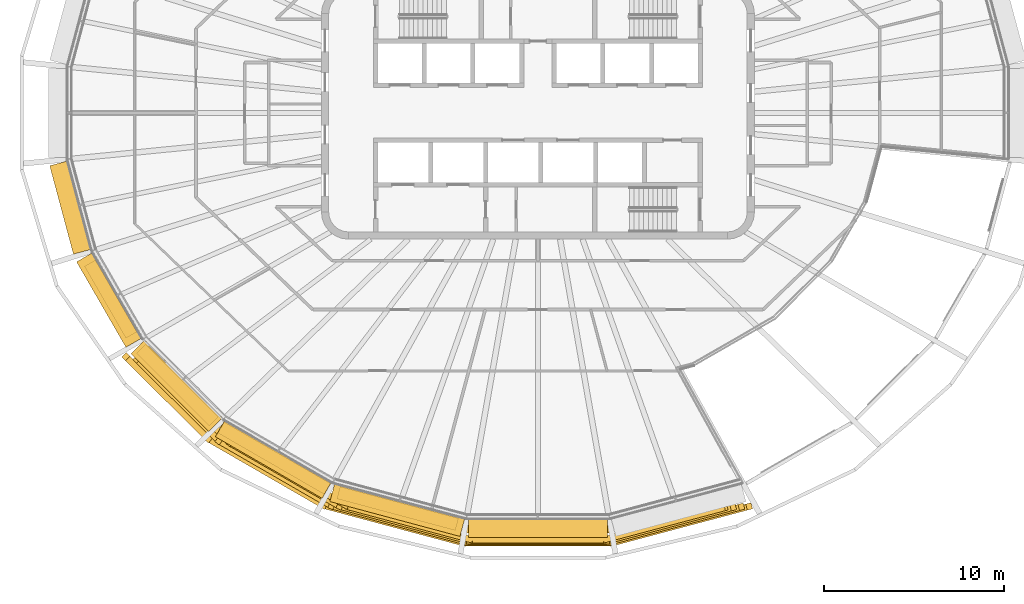
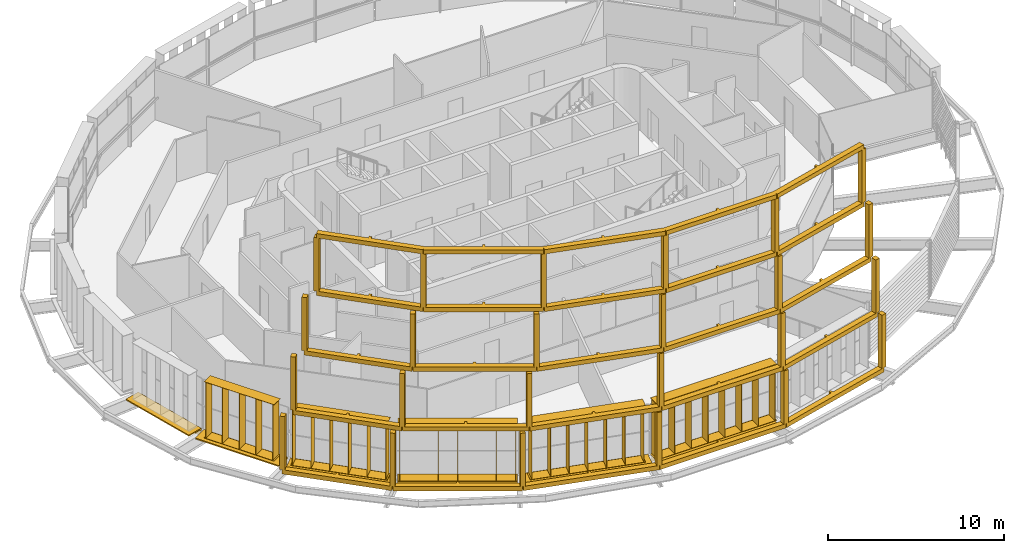
# One storey, part 14 of 18: 12 shading devices.
"""IFC4 building model written with IfcOpenShell, lengths in metres."""

from ifc_helpers import new_model, si_unit, direction, frame, origin, origin_2d, place, context, subcontext, project, spatial, polyline, rectangle, outline, extrude, material, type_object, element, save


model = new_model("IFC4")

# Units and contexts
model_context = context("Model", 3, precision=1e-05, world=origin(), true_north=direction((0.0, 1.0)))
body_context = subcontext(model_context, "Body", "Model", "MODEL_VIEW")
ifc_project = project(units=[si_unit("LENGTHUNIT", "METRE"), si_unit("AREAUNIT", "SQUARE_METRE"), si_unit("VOLUMEUNIT", "CUBIC_METRE"), si_unit("PLANEANGLEUNIT", "RADIAN"), si_unit("MASSUNIT", "GRAM", prefix="KILO")], contexts=[model_context])

# Site, building, storey
site_placement = place(None, origin())
site = spatial("IfcSite", under=ifc_project, at=site_placement, CompositionType="ELEMENT")
building_placement = place(site_placement, origin())
building = spatial("IfcBuilding", under=site, at=building_placement, Name="Sahrelin Media Tower", CompositionType="ELEMENT")
storey_placement = place(building_placement, frame((0.0, 0.0, 308.39990234375)))
storey = spatial("IfcBuildingStorey", under=building, at=storey_placement, Name="L68", CompositionType="ELEMENT", Elevation=308.39990234375)

# Shading devices
ifc_material_1 = material(Name="Dark bronze anodised aluminium 6063-T6", Category="aluminium")
shading_device_type_1 = type_object("IfcShadingDeviceType", Name="Deep frame", PredefinedType="USERDEFINED", material=ifc_material_1)
shading_device_1_placement = place(storey_placement, frame((-21.9013671875, -12.5654296875, 0.0), z_axis=(0.0, 0.0, 1.0), x_axis=(-0.707106781187, 0.707106781187, 0.0)))
element("IfcShadingDevice", 1, at=shading_device_1_placement, inside=storey, type_object=shading_device_type_1, Name="L68:FRAME:F6-3", ObjectType="FRAME", PredefinedType="USERDEFINED", context=body_context, shape_type="SweptSolid", body=[
    extrude(rectangle(XDim=0.300048828125, YDim=0.35009765625, at=origin_2d()), frame((0.0, 1.324951171875, 0.14990234375), z_axis=(0.0, 0.0, 1.0), x_axis=(-1.0, 0.0, 0.0)), (0.0, 0.0, 1.0), 3.7001953125),
    extrude(rectangle(XDim=0.300048828125, YDim=0.35009765625, at=origin_2d()), frame((-6.463134765625, 1.313720703125, 0.14990234375), z_axis=(0.0, 0.0, 1.0), x_axis=(-0.991436202368, -0.130591947046, 0.0)), (0.0, 0.0, 1.0), 3.7001953125),
    extrude(rectangle(XDim=0.300048828125, YDim=0.35009765625, at=origin_2d()), frame((-13.589111328125, -0.595703125, 0.14990234375), z_axis=(0.0, 0.0, 1.0), x_axis=(-0.923876860854, -0.382689882252, 0.0)), (0.0, 0.0, 1.0), 3.7001953125),
    extrude(rectangle(XDim=0.300048828125, YDim=0.35009765625, at=origin_2d()), frame((-20.527099609375, -4.601318359375, 0.14990234375), z_axis=(0.0, 0.0, 1.0), x_axis=(-0.793362902596, -0.608748966968, 0.0)), (0.0, 0.0, 1.0), 3.7001953125),
    extrude(rectangle(XDim=0.300048828125, YDim=0.35009765625, at=origin_2d()), frame((-26.3720703125, -10.4462890625, 0.14990234375), z_axis=(0.0, 0.0, 1.0), x_axis=(-0.608748966968, -0.793362902596, 0.0)), (0.0, 0.0, 1.0), 3.7001953125),
    extrude(rectangle(XDim=0.300048828125, YDim=0.35009765625, at=origin_2d()), frame((-30.30078125, -17.228759765625, 0.14990234375), z_axis=(0.0, 0.0, 1.0), x_axis=(-0.500010580459, -0.866019295067, 0.0)), (0.0, 0.0, 1.0), 3.7001953125),
    extrude(outline(polyline([(-26.49560546875, -10.322509765625), (-26.3720703125, -10.4462890625), (-26.5234375, -10.358642578125), (-30.452392578125, -17.14111328125), (-30.1494140625, -17.31640625), (-28.265869140625, -14.064697265625), (-28.114501953125, -14.152099609375), (-28.03955078125, -14.022216796875), (-28.190673828125, -13.93505859375), (-26.23193359375, -10.5537109375), (-23.37890625, -7.70068359375), (-23.259521484375, -7.81982421875), (-23.1533203125, -7.7138671875), (-23.272705078125, -7.594482421875), (-20.41943359375, -4.7412109375), (-17.035400390625, -2.78759765625), (-16.951171875, -2.93359375), (-16.8212890625, -2.858642578125), (-16.905517578125, -2.712646484375), (-13.521484375, -0.7587890625), (-10.05322265625, 0.17041015625), (-10.009521484375, 0.007568359375), (-9.86474609375, 0.04638671875), (-9.908447265625, 0.209228515625), (-6.43994140625, 1.138671875), (-3.22021484375, 1.144287109375), (-3.22021484375, 0.969970703125), (-3.070068359375, 0.969970703125), (-3.070068359375, 1.14453125), (0.000244140625, 1.14990234375), (-0.000244140625, 1.5), (-6.46337890625, 1.48876953125), (-6.463134765625, 1.313720703125), (-6.508544921875, 1.482666015625), (-13.63427734375, -0.4267578125), (-13.589111328125, -0.595703125), (-13.676513671875, -0.444091796875), (-20.614501953125, -4.44970703125), (-20.527099609375, -4.601318359375), (-20.650634765625, -4.4775390625), (-26.49560546875, -10.322509765625)])), frame((0.0, 0.0, -0.14990234375)), (0.0, 0.0, 1.0), 0.2998046875),
    extrude(rectangle(XDim=0.300048828125, YDim=0.35009765625, at=origin_2d()), frame((-0.53759765625, 0.9912109375, 4.14990234375), z_axis=(0.0, 0.0, 1.0), x_axis=(-1.0, 0.0, 0.0)), (0.0, 0.0, 1.0), 3.7001953125),
    extrude(rectangle(XDim=0.300048828125, YDim=0.35009765625, at=origin_2d()), frame((-6.9462890625, 0.97998046875, 4.14990234375), z_axis=(0.0, 0.0, 1.0), x_axis=(-0.991449189241, -0.130493314592, 0.0)), (0.0, 0.0, 1.0), 3.7001953125),
    extrude(rectangle(XDim=0.300048828125, YDim=0.35009765625, at=origin_2d()), frame((-13.9091796875, -0.8857421875, 4.14990234375), z_axis=(0.0, 0.0, 1.0), x_axis=(-0.923862165937, -0.382725356294, 0.0)), (0.0, 0.0, 1.0), 3.7001953125),
    extrude(rectangle(XDim=0.300048828125, YDim=0.35009765625, at=origin_2d()), frame((-20.60595703125, -4.752197265625, 4.14990234375), z_axis=(0.0, 0.0, 1.0), x_axis=(-0.793315089117, -0.608811275668, 0.0)), (0.0, 0.0, 1.0), 3.7001953125),
    extrude(rectangle(XDim=0.300048828125, YDim=0.35009765625, at=origin_2d()), frame((-26.220947265625, -10.3671875, 4.14990234375), z_axis=(0.0, 0.0, 1.0), x_axis=(-0.608762813671, -0.793352277801, 0.0)), (0.0, 0.0, 1.0), 3.7001953125),
    extrude(rectangle(XDim=0.300048828125, YDim=0.35009765625, at=origin_2d()), frame((-30.0107421875, -16.90869140625, 4.14990234375), z_axis=(0.0, 0.0, 1.0), x_axis=(-0.500010580459, -0.866019295067, 0.0)), (0.0, 0.0, 1.0), 3.7001953125),
    extrude(outline(polyline([(-26.3447265625, -10.24365234375), (-26.220947265625, -10.3671875), (-26.372314453125, -10.279541015625), (-30.162109375, -16.821044921875), (-29.859375, -16.99658203125), (-28.04541015625, -13.865234375), (-27.89404296875, -13.952392578125), (-27.819091796875, -13.822509765625), (-27.97021484375, -13.735595703125), (-26.0810546875, -10.474853515625), (-23.3427734375, -7.736572265625), (-23.223388671875, -7.855712890625), (-23.117431640625, -7.749755859375), (-23.23681640625, -7.630615234375), (-20.49853515625, -4.892333984375), (-17.235107421875, -3.008056640625), (-17.150634765625, -3.154052734375), (-17.020751953125, -3.0791015625), (-17.10498046875, -2.93310546875), (-13.841552734375, -1.048828125), (-10.454833984375, -0.141357421875), (-10.4111328125, -0.30419921875), (-10.266357421875, -0.265380859375), (-10.31005859375, -0.1025390625), (-6.923095703125, 0.804931640625), (-3.73046875, 0.810546875), (-3.73046875, 0.63623046875), (-3.580322265625, 0.63623046875), (-3.580322265625, 0.810791015625), (-0.537109375, 0.816162109375), (-0.537841796875, 1.166259765625), (-6.946533203125, 1.15478515625), (-6.9462890625, 0.97998046875), (-6.99169921875, 1.14892578125), (-13.954345703125, -0.716796875), (-13.9091796875, -0.8857421875), (-13.99658203125, -0.734130859375), (-20.693603515625, -4.6005859375), (-20.60595703125, -4.752197265625), (-20.729736328125, -4.62841796875), (-26.3447265625, -10.24365234375)])), frame((0.0, 0.0, 3.85009765625)), (0.0, 0.0, 1.0), 0.2998046875),
    extrude(rectangle(XDim=0.300048828125, YDim=0.35009765625, at=origin_2d()), frame((-1.112060546875, 0.63916015625, 8.14990234375), z_axis=(0.0, 0.0, 1.0), x_axis=(-1.0, 0.0, 0.0)), (0.0, 0.0, 1.0), 3.7001953125),
    extrude(rectangle(XDim=0.300048828125, YDim=0.35009765625, at=origin_2d()), frame((-7.45849609375, 0.627685546875, 8.14990234375), z_axis=(0.0, 0.0, 1.0), x_axis=(-0.991436202368, -0.130591947046, 0.0)), (0.0, 0.0, 1.0), 3.7001953125),
    extrude(rectangle(XDim=0.300048828125, YDim=0.35009765625, at=origin_2d()), frame((-14.244873046875, -1.190673828125, 8.14990234375), z_axis=(0.0, 0.0, 1.0), x_axis=(-0.923862165937, -0.382725356294, 0.0)), (0.0, 0.0, 1.0), 3.7001953125),
    extrude(rectangle(XDim=0.300048828125, YDim=0.35009765625, at=origin_2d()), frame((-20.687744140625, -4.910400390625, 8.14990234375), z_axis=(0.0, 0.0, 1.0), x_axis=(-0.793352277801, -0.608762813671, 0.0)), (0.0, 0.0, 1.0), 3.7001953125),
    extrude(rectangle(XDim=0.300048828125, YDim=0.35009765625, at=origin_2d()), frame((-26.062744140625, -10.285400390625, 8.14990234375), z_axis=(0.0, 0.0, 1.0), x_axis=(-0.608700502051, -0.793400087474, 0.0)), (0.0, 0.0, 1.0), 3.7001953125),
    extrude(rectangle(XDim=0.300048828125, YDim=0.35009765625, at=origin_2d()), frame((-29.7060546875, -16.572998046875, 8.14990234375), z_axis=(0.0, 0.0, 1.0), x_axis=(-0.499968258175, -0.86604372916, 0.0)), (0.0, 0.0, 1.0), 3.7001953125),
    extrude(outline(polyline([(-26.1865234375, -10.16162109375), (-26.062744140625, -10.285400390625), (-26.214111328125, -10.19775390625), (-29.857421875, -16.485107421875), (-29.5546875, -16.66064453125), (-27.813720703125, -13.656494140625), (-27.66259765625, -13.74365234375), (-27.587646484375, -13.61376953125), (-27.738525390625, -13.526611328125), (-25.9228515625, -10.39306640625), (-23.3046875, -7.774658203125), (-23.185302734375, -7.89404296875), (-23.079345703125, -7.787841796875), (-23.198486328125, -7.668701171875), (-20.580322265625, -5.050537109375), (-17.44384765625, -3.239501953125), (-17.359619140625, -3.3857421875), (-17.2294921875, -3.310791015625), (-17.31396484375, -3.16455078125), (-14.17724609375, -1.353759765625), (-10.87890625, -0.469970703125), (-10.835205078125, -0.6328125), (-10.690185546875, -0.593994140625), (-10.73388671875, -0.43115234375), (-7.435302734375, 0.452880859375), (-4.273681640625, 0.45849609375), (-4.273681640625, 0.2841796875), (-4.123779296875, 0.2841796875), (-4.123779296875, 0.458740234375), (-1.11181640625, 0.464111328125), (-1.1123046875, 0.814208984375), (-7.458740234375, 0.802734375), (-7.45849609375, 0.627685546875), (-7.503662109375, 0.796875), (-14.290283203125, -1.021484375), (-14.244873046875, -1.190673828125), (-14.33251953125, -1.0390625), (-20.775390625, -4.7587890625), (-20.687744140625, -4.910400390625), (-20.8115234375, -4.786865234375), (-26.1865234375, -10.16162109375)])), frame((0.0, 0.0, 7.85009765625)), (0.0, 0.0, 1.0), 0.2998046875),
    extrude(rectangle(XDim=0.300048828125, YDim=0.35009765625, at=origin_2d()), frame((-1.72412109375, 0.269287109375, 12.14990234375), z_axis=(0.0, 0.0, 1.0), x_axis=(-1.0, 0.0, 0.0)), (0.0, 0.0, 1.0), 3.7001953125),
    extrude(rectangle(XDim=0.300048828125, YDim=0.35009765625, at=origin_2d()), frame((-7.999267578125, 0.2578125, 12.14990234375), z_axis=(0.0, 0.0, 1.0), x_axis=(-0.991447594891, -0.130505427419, 0.0)), (0.0, 0.0, 1.0), 3.7001953125),
    extrude(rectangle(XDim=0.300048828125, YDim=0.35009765625, at=origin_2d()), frame((-14.595458984375, -1.509521484375, 12.14990234375), z_axis=(0.0, 0.0, 1.0), x_axis=(-0.923876860854, -0.382689882252, 0.0)), (0.0, 0.0, 1.0), 3.7001953125),
    extrude(rectangle(XDim=0.300048828125, YDim=0.35009765625, at=origin_2d()), frame((-20.772216796875, -5.07568359375, 12.14990234375), z_axis=(0.0, 0.0, 1.0), x_axis=(-0.793315089117, -0.608811275668, 0.0)), (0.0, 0.0, 1.0), 3.7001953125),
    extrude(rectangle(XDim=0.300048828125, YDim=0.35009765625, at=origin_2d()), frame((-25.897705078125, -10.201171875, 12.14990234375), z_axis=(0.0, 0.0, 1.0), x_axis=(-0.608700502051, -0.793400087474, 0.0)), (0.0, 0.0, 1.0), 3.7001953125),
    extrude(rectangle(XDim=0.300048828125, YDim=0.35009765625, at=origin_2d()), frame((-29.38720703125, -16.222412109375, 12.14990234375), z_axis=(0.0, 0.0, 1.0), x_axis=(-0.500010580459, -0.866019295067, 0.0)), (0.0, 0.0, 1.0), 3.7001953125),
    extrude(outline(polyline([(-26.021484375, -10.077392578125), (-25.897705078125, -10.201171875), (-26.049072265625, -10.113525390625), (-29.53857421875, -16.134521484375), (-29.235595703125, -16.31005859375), (-27.57177734375, -13.43896484375), (-27.420654296875, -13.5263671875), (-27.345703125, -13.396484375), (-27.49658203125, -13.30908203125), (-25.7578125, -10.308837890625), (-23.26416015625, -7.815185546875), (-23.14501953125, -7.934326171875), (-23.038818359375, -7.828369140625), (-23.158203125, -7.708984375), (-20.66455078125, -5.215576171875), (-17.6611328125, -3.481689453125), (-17.576904296875, -3.627685546875), (-17.447021484375, -3.552734375), (-17.53125, -3.406494140625), (-14.52783203125, -1.672607421875), (-11.324462890625, -0.814208984375), (-11.281005859375, -0.977294921875), (-11.135986328125, -0.9384765625), (-11.1796875, -0.775390625), (-7.97607421875, 0.0830078125), (-4.85009765625, 0.088623046875), (-4.85009765625, -0.085693359375), (-4.7001953125, -0.085693359375), (-4.7001953125, 0.0888671875), (-1.723876953125, 0.09423828125), (-1.724609375, 0.444091796875), (-7.99951171875, 0.432861328125), (-7.999267578125, 0.2578125), (-8.044677734375, 0.427001953125), (-14.640625, -1.340576171875), (-14.595458984375, -1.509521484375), (-14.682861328125, -1.35791015625), (-20.859619140625, -4.924072265625), (-20.772216796875, -5.07568359375), (-20.895751953125, -4.951904296875), (-26.021484375, -10.077392578125)])), frame((0.0, 0.0, 11.85009765625)), (0.0, 0.0, 1.0), 0.2998046875),
    extrude(outline(polyline([(-26.021484375, -10.077392578125), (-25.897705078125, -10.201171875), (-26.049072265625, -10.113525390625), (-29.53857421875, -16.134521484375), (-29.235595703125, -16.31005859375), (-27.57177734375, -13.43896484375), (-27.420654296875, -13.5263671875), (-27.345703125, -13.396484375), (-27.49658203125, -13.30908203125), (-25.7578125, -10.308837890625), (-23.26416015625, -7.815185546875), (-23.14501953125, -7.934326171875), (-23.038818359375, -7.828369140625), (-23.158203125, -7.708984375), (-20.66455078125, -5.215576171875), (-17.6611328125, -3.481689453125), (-17.576904296875, -3.627685546875), (-17.447021484375, -3.552734375), (-17.53125, -3.406494140625), (-14.52783203125, -1.672607421875), (-11.324462890625, -0.814208984375), (-11.281005859375, -0.977294921875), (-11.135986328125, -0.9384765625), (-11.1796875, -0.775390625), (-7.97607421875, 0.0830078125), (-4.85009765625, 0.088623046875), (-4.85009765625, -0.085693359375), (-4.7001953125, -0.085693359375), (-4.7001953125, 0.0888671875), (-1.723876953125, 0.09423828125), (-1.724609375, 0.444091796875), (-7.99951171875, 0.432861328125), (-7.999267578125, 0.2578125), (-8.044677734375, 0.427001953125), (-14.640625, -1.340576171875), (-14.595458984375, -1.509521484375), (-14.682861328125, -1.35791015625), (-20.859619140625, -4.924072265625), (-20.772216796875, -5.07568359375), (-20.895751953125, -4.951904296875), (-26.021484375, -10.077392578125)])), frame((0.0, 0.0, 15.85009765625)), (0.0, 0.0, 1.0), 0.2998046875),
])
ifc_material_2 = material(Name="Champagne anodised aluminium 6063-T6", Category="aluminium")
shading_device_type_2 = type_object("IfcShadingDeviceType", Name="Fin cassette", PredefinedType="USERDEFINED", material=ifc_material_2)
placement_1 = place(storey_placement, frame((-23.31787109375, -10.11181640625, 0.0), z_axis=(0.0, 0.0, 1.0), x_axis=(-0.500011000363, 0.866019052629, 0.0)))
element("IfcShadingDevice", 2, at=placement_1, inside=storey, type_object=shading_device_type_2, Name="L68:FIN:L68-14", ObjectType="FIN", PredefinedType="USERDEFINED", context=body_context, shape_type="SweptSolid", body=[
    extrude(rectangle(XDim=4.60009765625, YDim=0.699951171875, at=origin_2d()), frame((0.0, 0.419921875, 0.0)), (0.0, 0.0, 1.0), 0.02001953125),
    extrude(rectangle(XDim=4.60009765625, YDim=0.699951171875, at=origin_2d()), frame((0.0, 0.419921875, 3.89990234375)), (0.0, 0.0, 1.0), 0.02001953125),
    extrude(rectangle(XDim=0.02001953125, YDim=0.699951171875, at=origin_2d()), frame((-2.199951171875, 0.419921875, 0.010009765625), z_axis=(0.0, 0.0, 1.0), x_axis=(1.0, 0.0, 0.0)), (0.0, 0.0, 1.0), 3.89990234375),
    extrude(rectangle(XDim=0.02001953125, YDim=0.699951171875, at=origin_2d()), frame((-1.10009765625, 0.419921875, 0.010009765625), z_axis=(0.0, 0.0, 1.0), x_axis=(1.0, 0.0, 0.0)), (0.0, 0.0, 1.0), 3.89990234375),
    extrude(rectangle(XDim=0.02001953125, YDim=0.699951171875, at=origin_2d()), frame((0.0, 0.419921875, 0.010009765625), z_axis=(0.0, 0.0, 1.0), x_axis=(1.0, 0.0, 0.0)), (0.0, 0.0, 1.0), 3.89990234375),
    extrude(rectangle(XDim=0.02001953125, YDim=0.699951171875, at=origin_2d()), frame((1.10009765625, 0.419921875, 0.010009765625), z_axis=(0.0, 0.0, 1.0), x_axis=(1.0, 0.0, 0.0)), (0.0, 0.0, 1.0), 3.89990234375),
    extrude(rectangle(XDim=0.02001953125, YDim=0.699951171875, at=origin_2d()), frame((2.199951171875, 0.419921875, 0.010009765625), z_axis=(0.0, 0.0, 1.0), x_axis=(1.0, 0.0, 0.0)), (0.0, 0.0, 1.0), 3.89990234375),
])
placement_2 = place(storey_placement, frame((-19.677490234375, -14.789306640625, 0.0), z_axis=(0.0, 0.0, 1.0), x_axis=(-0.707106781187, 0.707106781187, 0.0)))
element("IfcShadingDevice", 3, at=placement_2, inside=storey, type_object=shading_device_type_2, Name="L68:FIN:L68-15", ObjectType="FIN", PredefinedType="USERDEFINED", context=body_context, shape_type="SweptSolid", body=[
    extrude(rectangle(XDim=5.699951171875, YDim=0.699951171875, at=origin_2d()), frame((0.0, 0.419921875, 0.0)), (0.0, 0.0, 1.0), 0.02001953125),
    extrude(rectangle(XDim=5.699951171875, YDim=0.699951171875, at=origin_2d()), frame((0.0, 0.419921875, 3.89990234375)), (0.0, 0.0, 1.0), 0.02001953125),
    extrude(rectangle(XDim=0.02001953125, YDim=0.699951171875, at=origin_2d()), frame((-2.75, 0.419921875, 0.010009765625), z_axis=(0.0, 0.0, 1.0), x_axis=(1.0, 0.0, 0.0)), (0.0, 0.0, 1.0), 3.89990234375),
    extrude(rectangle(XDim=0.02001953125, YDim=0.699951171875, at=origin_2d()), frame((-1.64990234375, 0.419921875, 0.010009765625), z_axis=(0.0, 0.0, 1.0), x_axis=(1.0, 0.0, 0.0)), (0.0, 0.0, 1.0), 3.89990234375),
    extrude(rectangle(XDim=0.02001953125, YDim=0.699951171875, at=origin_2d()), frame((-0.550048828125, 0.419921875, 0.010009765625), z_axis=(0.0, 0.0, 1.0), x_axis=(1.0, 0.0, 0.0)), (0.0, 0.0, 1.0), 3.89990234375),
    extrude(rectangle(XDim=0.02001953125, YDim=0.699951171875, at=origin_2d()), frame((0.550048828125, 0.419921875, 0.010009765625), z_axis=(0.0, 0.0, 1.0), x_axis=(1.0, 0.0, 0.0)), (0.0, 0.0, 1.0), 3.89990234375),
    extrude(rectangle(XDim=0.02001953125, YDim=0.699951171875, at=origin_2d()), frame((1.64990234375, 0.419921875, 0.010009765625), z_axis=(0.0, 0.0, 1.0), x_axis=(1.0, 0.0, 0.0)), (0.0, 0.0, 1.0), 3.89990234375),
    extrude(rectangle(XDim=0.02001953125, YDim=0.699951171875, at=origin_2d()), frame((2.75, 0.419921875, 0.010009765625), z_axis=(0.0, 0.0, 1.0), x_axis=(1.0, 0.0, 0.0)), (0.0, 0.0, 1.0), 3.89990234375),
])
placement_3 = place(storey_placement, frame((-14.408935546875, -18.771240234375, 0.0), z_axis=(0.0, 0.0, 1.0), x_axis=(-0.866019052629, 0.500011000363, 0.0)))
element("IfcShadingDevice", 4, at=placement_3, inside=storey, type_object=shading_device_type_2, Name="L68:FIN:L68-16", ObjectType="FIN", PredefinedType="USERDEFINED", context=body_context, shape_type="SweptSolid", body=[
    extrude(rectangle(XDim=6.800048828125, YDim=0.699951171875, at=origin_2d()), frame((0.0, 0.419921875, 0.0)), (0.0, 0.0, 1.0), 0.02001953125),
    extrude(rectangle(XDim=6.800048828125, YDim=0.699951171875, at=origin_2d()), frame((0.0, 0.419921875, 3.89990234375)), (0.0, 0.0, 1.0), 0.02001953125),
    extrude(rectangle(XDim=0.02001953125, YDim=0.699951171875, at=origin_2d()), frame((-3.300048828125, 0.419921875, 0.010009765625), z_axis=(0.0, 0.0, 1.0), x_axis=(1.0, 0.0, 0.0)), (0.0, 0.0, 1.0), 3.89990234375),
    extrude(rectangle(XDim=0.02001953125, YDim=0.699951171875, at=origin_2d()), frame((-2.199951171875, 0.419921875, 0.010009765625), z_axis=(0.0, 0.0, 1.0), x_axis=(1.0, 0.0, 0.0)), (0.0, 0.0, 1.0), 3.89990234375),
    extrude(rectangle(XDim=0.02001953125, YDim=0.699951171875, at=origin_2d()), frame((-1.10009765625, 0.419921875, 0.010009765625), z_axis=(0.0, 0.0, 1.0), x_axis=(1.0, 0.0, 0.0)), (0.0, 0.0, 1.0), 3.89990234375),
    extrude(rectangle(XDim=0.02001953125, YDim=0.699951171875, at=origin_2d()), frame((0.0, 0.419921875, 0.010009765625), z_axis=(0.0, 0.0, 1.0), x_axis=(1.0, 0.0, 0.0)), (0.0, 0.0, 1.0), 3.89990234375),
    extrude(rectangle(XDim=0.02001953125, YDim=0.699951171875, at=origin_2d()), frame((1.10009765625, 0.419921875, 0.010009765625), z_axis=(0.0, 0.0, 1.0), x_axis=(1.0, 0.0, 0.0)), (0.0, 0.0, 1.0), 3.89990234375),
    extrude(rectangle(XDim=0.02001953125, YDim=0.699951171875, at=origin_2d()), frame((2.199951171875, 0.419921875, 0.010009765625), z_axis=(0.0, 0.0, 1.0), x_axis=(1.0, 0.0, 0.0)), (0.0, 0.0, 1.0), 3.89990234375),
    extrude(rectangle(XDim=0.02001953125, YDim=0.699951171875, at=origin_2d()), frame((3.300048828125, 0.419921875, 0.010009765625), z_axis=(0.0, 0.0, 1.0), x_axis=(1.0, 0.0, 0.0)), (0.0, 0.0, 1.0), 3.89990234375),
])
placement_4 = place(storey_placement, frame((-7.662109375, -21.52099609375, 0.0), z_axis=(0.0, 0.0, 1.0), x_axis=(-0.965928857556, 0.258807731996, 0.0)))
element("IfcShadingDevice", 5, at=placement_4, inside=storey, type_object=shading_device_type_2, Name="L68:FIN:L68-17", ObjectType="FIN", PredefinedType="USERDEFINED", context=body_context, shape_type="SweptSolid", body=[
    extrude(rectangle(XDim=6.800048828125, YDim=0.699951171875, at=origin_2d()), frame((0.0, 0.419921875, 0.0)), (0.0, 0.0, 1.0), 0.02001953125),
    extrude(rectangle(XDim=6.800048828125, YDim=0.699951171875, at=origin_2d()), frame((0.0, 0.419921875, 3.89990234375)), (0.0, 0.0, 1.0), 0.02001953125),
    extrude(rectangle(XDim=0.02001953125, YDim=0.699951171875, at=origin_2d()), frame((-3.300048828125, 0.419921875, 0.010009765625), z_axis=(0.0, 0.0, 1.0), x_axis=(1.0, 0.0, 0.0)), (0.0, 0.0, 1.0), 3.89990234375),
    extrude(rectangle(XDim=0.02001953125, YDim=0.699951171875, at=origin_2d()), frame((-2.199951171875, 0.419921875, 0.010009765625), z_axis=(0.0, 0.0, 1.0), x_axis=(1.0, 0.0, 0.0)), (0.0, 0.0, 1.0), 3.89990234375),
    extrude(rectangle(XDim=0.02001953125, YDim=0.699951171875, at=origin_2d()), frame((-1.10009765625, 0.419921875, 0.010009765625), z_axis=(0.0, 0.0, 1.0), x_axis=(1.0, 0.0, 0.0)), (0.0, 0.0, 1.0), 3.89990234375),
    extrude(rectangle(XDim=0.02001953125, YDim=0.699951171875, at=origin_2d()), frame((0.0, 0.419921875, 0.010009765625), z_axis=(0.0, 0.0, 1.0), x_axis=(1.0, 0.0, 0.0)), (0.0, 0.0, 1.0), 3.89990234375),
    extrude(rectangle(XDim=0.02001953125, YDim=0.699951171875, at=origin_2d()), frame((1.10009765625, 0.419921875, 0.010009765625), z_axis=(0.0, 0.0, 1.0), x_axis=(1.0, 0.0, 0.0)), (0.0, 0.0, 1.0), 3.89990234375),
    extrude(rectangle(XDim=0.02001953125, YDim=0.699951171875, at=origin_2d()), frame((2.199951171875, 0.419921875, 0.010009765625), z_axis=(0.0, 0.0, 1.0), x_axis=(1.0, 0.0, 0.0)), (0.0, 0.0, 1.0), 3.89990234375),
    extrude(rectangle(XDim=0.02001953125, YDim=0.699951171875, at=origin_2d()), frame((3.300048828125, 0.419921875, 0.010009765625), z_axis=(0.0, 0.0, 1.0), x_axis=(1.0, 0.0, 0.0)), (0.0, 0.0, 1.0), 3.89990234375),
])
placement_5 = place(storey_placement, frame((0.0, -22.512939453125, 0.0), z_axis=(0.0, 0.0, 1.0), x_axis=(-1.0, 0.0, 0.0)))
element("IfcShadingDevice", 6, at=placement_5, inside=storey, type_object=shading_device_type_2, Name="L68:FIN:L68-18", ObjectType="FIN", PredefinedType="USERDEFINED", context=body_context, shape_type="SweptSolid", body=[
    extrude(rectangle(XDim=7.89990234375, YDim=0.699951171875, at=origin_2d()), frame((0.0, 0.419921875, 0.0)), (0.0, 0.0, 1.0), 0.02001953125),
    extrude(rectangle(XDim=7.89990234375, YDim=0.699951171875, at=origin_2d()), frame((0.0, 0.419921875, 3.89990234375)), (0.0, 0.0, 1.0), 0.02001953125),
    extrude(rectangle(XDim=0.02001953125, YDim=0.699951171875, at=origin_2d()), frame((-3.85009765625, 0.419921875, 0.010009765625), z_axis=(0.0, 0.0, 1.0), x_axis=(1.0, 0.0, 0.0)), (0.0, 0.0, 1.0), 3.89990234375),
    extrude(rectangle(XDim=0.02001953125, YDim=0.699951171875, at=origin_2d()), frame((-2.75, 0.419921875, 0.010009765625), z_axis=(0.0, 0.0, 1.0), x_axis=(1.0, 0.0, 0.0)), (0.0, 0.0, 1.0), 3.89990234375),
    extrude(rectangle(XDim=0.02001953125, YDim=0.699951171875, at=origin_2d()), frame((-1.64990234375, 0.419921875, 0.010009765625), z_axis=(0.0, 0.0, 1.0), x_axis=(1.0, 0.0, 0.0)), (0.0, 0.0, 1.0), 3.89990234375),
    extrude(rectangle(XDim=0.02001953125, YDim=0.699951171875, at=origin_2d()), frame((-0.550048828125, 0.419921875, 0.010009765625), z_axis=(0.0, 0.0, 1.0), x_axis=(1.0, 0.0, 0.0)), (0.0, 0.0, 1.0), 3.89990234375),
    extrude(rectangle(XDim=0.02001953125, YDim=0.699951171875, at=origin_2d()), frame((0.550048828125, 0.419921875, 0.010009765625), z_axis=(0.0, 0.0, 1.0), x_axis=(1.0, 0.0, 0.0)), (0.0, 0.0, 1.0), 3.89990234375),
    extrude(rectangle(XDim=0.02001953125, YDim=0.699951171875, at=origin_2d()), frame((1.64990234375, 0.419921875, 0.010009765625), z_axis=(0.0, 0.0, 1.0), x_axis=(1.0, 0.0, 0.0)), (0.0, 0.0, 1.0), 3.89990234375),
    extrude(rectangle(XDim=0.02001953125, YDim=0.699951171875, at=origin_2d()), frame((2.75, 0.419921875, 0.010009765625), z_axis=(0.0, 0.0, 1.0), x_axis=(1.0, 0.0, 0.0)), (0.0, 0.0, 1.0), 3.89990234375),
    extrude(rectangle(XDim=0.02001953125, YDim=0.699951171875, at=origin_2d()), frame((3.85009765625, 0.419921875, 0.010009765625), z_axis=(0.0, 0.0, 1.0), x_axis=(1.0, 0.0, 0.0)), (0.0, 0.0, 1.0), 3.89990234375),
])
shading_device_type_3 = type_object("IfcShadingDeviceType", Name="Sunshade band", PredefinedType="USERDEFINED", material=ifc_material_2)
shading_device_7_placement = place(storey_placement, frame((-25.41650390625, -5.113037109375, 0.0), z_axis=(0.0, 0.0, 1.0), x_axis=(-0.258807731996, 0.965928857556, 0.0)))
element("IfcShadingDevice", 7, at=shading_device_7_placement, inside=storey, type_object=shading_device_type_3, Name="L68:SUN:L68-13", ObjectType="SUNSHADE", PredefinedType="USERDEFINED", context=body_context, shape_type="SweptSolid", body=[
    extrude(rectangle(XDim=5.070068359375, YDim=0.050048828125, at=origin_2d()), frame((0.0, 0.044921875, -0.55126953125)), (0.0, 0.0, 1.0), 0.471435546875),
    extrude(rectangle(XDim=5.070068359375, YDim=1.0, at=origin_2d()), frame((0.0, 0.52001953125, -0.080078125)), (0.0, 0.0, 1.0), 0.080078125),
    extrude(rectangle(XDim=0.10009765625, YDim=0.074951171875, at=origin_2d()), frame((-2.43505859375, -0.017578125, -0.47021484375)), (0.0, 0.0, 1.0), 0.300048828125),
    extrude(rectangle(XDim=0.10009765625, YDim=0.074951171875, at=origin_2d()), frame((-0.811767578125, -0.017578125, -0.47021484375)), (0.0, 0.0, 1.0), 0.300048828125),
    extrude(rectangle(XDim=0.10009765625, YDim=0.074951171875, at=origin_2d()), frame((0.811767578125, -0.017578125, -0.47021484375)), (0.0, 0.0, 1.0), 0.300048828125),
    extrude(rectangle(XDim=0.10009765625, YDim=0.074951171875, at=origin_2d()), frame((2.43505859375, -0.017578125, -0.47021484375)), (0.0, 0.0, 1.0), 0.300048828125),
])
element("IfcShadingDevice", 8, at=placement_1, inside=storey, type_object=shading_device_type_3, Name="L68:SUN:L68-14", ObjectType="SUNSHADE", PredefinedType="USERDEFINED", context=body_context, shape_type="SweptSolid", body=[
    extrude(rectangle(XDim=5.46630859375, YDim=0.050048828125, at=origin_2d()), frame((0.0, 0.044921875, -0.55126953125)), (0.0, 0.0, 1.0), 0.471435546875),
    extrude(rectangle(XDim=5.46630859375, YDim=1.0, at=origin_2d()), frame((0.0, 0.52001953125, -0.080078125)), (0.0, 0.0, 1.0), 0.080078125),
    extrude(rectangle(XDim=0.10009765625, YDim=0.074951171875, at=origin_2d()), frame((-2.63330078125, -0.017578125, -0.47021484375)), (0.0, 0.0, 1.0), 0.300048828125),
    extrude(rectangle(XDim=0.10009765625, YDim=0.074951171875, at=origin_2d()), frame((-0.877685546875, -0.017578125, -0.47021484375)), (0.0, 0.0, 1.0), 0.300048828125),
    extrude(rectangle(XDim=0.10009765625, YDim=0.074951171875, at=origin_2d()), frame((0.877685546875, -0.017578125, -0.47021484375)), (0.0, 0.0, 1.0), 0.300048828125),
    extrude(rectangle(XDim=0.10009765625, YDim=0.074951171875, at=origin_2d()), frame((2.63330078125, -0.017578125, -0.47021484375)), (0.0, 0.0, 1.0), 0.300048828125),
])
element("IfcShadingDevice", 9, at=placement_2, inside=storey, type_object=shading_device_type_3, Name="L68:SUN:L68-15", ObjectType="SUNSHADE", PredefinedType="USERDEFINED", context=body_context, shape_type="SweptSolid", body=[
    extrude(rectangle(XDim=6.09033203125, YDim=0.050048828125, at=origin_2d()), frame((0.0, 0.044921875, -0.55126953125)), (0.0, 0.0, 1.0), 0.471435546875),
    extrude(rectangle(XDim=6.09033203125, YDim=1.0, at=origin_2d()), frame((0.0, 0.52001953125, -0.080078125)), (0.0, 0.0, 1.0), 0.080078125),
    extrude(rectangle(XDim=0.10009765625, YDim=0.074951171875, at=origin_2d()), frame((-2.945068359375, -0.017578125, -0.47021484375)), (0.0, 0.0, 1.0), 0.300048828125),
    extrude(rectangle(XDim=0.10009765625, YDim=0.074951171875, at=origin_2d()), frame((-1.47265625, -0.017578125, -0.47021484375)), (0.0, 0.0, 1.0), 0.300048828125),
    extrude(rectangle(XDim=0.10009765625, YDim=0.074951171875, at=origin_2d()), frame((0.0, -0.017578125, -0.47021484375)), (0.0, 0.0, 1.0), 0.300048828125),
    extrude(rectangle(XDim=0.10009765625, YDim=0.074951171875, at=origin_2d()), frame((1.47265625, -0.017578125, -0.47021484375)), (0.0, 0.0, 1.0), 0.300048828125),
    extrude(rectangle(XDim=0.10009765625, YDim=0.074951171875, at=origin_2d()), frame((2.945068359375, -0.017578125, -0.47021484375)), (0.0, 0.0, 1.0), 0.300048828125),
])
element("IfcShadingDevice", 10, at=placement_3, inside=storey, type_object=shading_device_type_3, Name="L68:SUN:L68-16", ObjectType="SUNSHADE", PredefinedType="USERDEFINED", context=body_context, shape_type="SweptSolid", body=[
    extrude(rectangle(XDim=6.831298828125, YDim=0.050048828125, at=origin_2d()), frame((0.0, 0.044921875, -0.55126953125)), (0.0, 0.0, 1.0), 0.471435546875),
    extrude(rectangle(XDim=6.831298828125, YDim=1.0, at=origin_2d()), frame((0.0, 0.52001953125, -0.080078125)), (0.0, 0.0, 1.0), 0.080078125),
    extrude(rectangle(XDim=0.10009765625, YDim=0.074951171875, at=origin_2d()), frame((-3.315673828125, -0.017578125, -0.47021484375)), (0.0, 0.0, 1.0), 0.300048828125),
    extrude(rectangle(XDim=0.10009765625, YDim=0.074951171875, at=origin_2d()), frame((-1.65771484375, -0.017578125, -0.47021484375)), (0.0, 0.0, 1.0), 0.300048828125),
    extrude(rectangle(XDim=0.10009765625, YDim=0.074951171875, at=origin_2d()), frame((0.0, -0.017578125, -0.47021484375)), (0.0, 0.0, 1.0), 0.300048828125),
    extrude(rectangle(XDim=0.10009765625, YDim=0.074951171875, at=origin_2d()), frame((1.65771484375, -0.017578125, -0.47021484375)), (0.0, 0.0, 1.0), 0.300048828125),
    extrude(rectangle(XDim=0.10009765625, YDim=0.074951171875, at=origin_2d()), frame((3.315673828125, -0.017578125, -0.47021484375)), (0.0, 0.0, 1.0), 0.300048828125),
])
element("IfcShadingDevice", 11, at=placement_4, inside=storey, type_object=shading_device_type_3, Name="L68:SUN:L68-17", ObjectType="SUNSHADE", PredefinedType="USERDEFINED", context=body_context, shape_type="SweptSolid", body=[
    extrude(rectangle(XDim=7.46533203125, YDim=0.050048828125, at=origin_2d()), frame((0.0, 0.044921875, -0.55126953125)), (0.0, 0.0, 1.0), 0.471435546875),
    extrude(rectangle(XDim=7.46533203125, YDim=1.0, at=origin_2d()), frame((0.0, 0.52001953125, -0.080078125)), (0.0, 0.0, 1.0), 0.080078125),
    extrude(rectangle(XDim=0.10009765625, YDim=0.074951171875, at=origin_2d()), frame((-3.6328125, -0.017578125, -0.47021484375)), (0.0, 0.0, 1.0), 0.300048828125),
    extrude(rectangle(XDim=0.10009765625, YDim=0.074951171875, at=origin_2d()), frame((-1.81640625, -0.017578125, -0.47021484375)), (0.0, 0.0, 1.0), 0.300048828125),
    extrude(rectangle(XDim=0.10009765625, YDim=0.074951171875, at=origin_2d()), frame((0.0, -0.017578125, -0.47021484375)), (0.0, 0.0, 1.0), 0.300048828125),
    extrude(rectangle(XDim=0.10009765625, YDim=0.074951171875, at=origin_2d()), frame((1.81640625, -0.017578125, -0.47021484375)), (0.0, 0.0, 1.0), 0.300048828125),
    extrude(rectangle(XDim=0.10009765625, YDim=0.074951171875, at=origin_2d()), frame((3.6328125, -0.017578125, -0.47021484375)), (0.0, 0.0, 1.0), 0.300048828125),
])
element("IfcShadingDevice", 12, at=placement_5, inside=storey, type_object=shading_device_type_3, Name="L68:SUN:L68-18", ObjectType="SUNSHADE", PredefinedType="USERDEFINED", context=body_context, shape_type="SweptSolid", body=[
    extrude(rectangle(XDim=7.72021484375, YDim=0.050048828125, at=origin_2d()), frame((0.0, 0.044921875, -0.55126953125)), (0.0, 0.0, 1.0), 0.471435546875),
    extrude(rectangle(XDim=7.72021484375, YDim=1.0, at=origin_2d()), frame((0.0, 0.52001953125, -0.080078125)), (0.0, 0.0, 1.0), 0.080078125),
    extrude(rectangle(XDim=0.10009765625, YDim=0.074951171875, at=origin_2d()), frame((-3.760009765625, -0.017578125, -0.47021484375)), (0.0, 0.0, 1.0), 0.300048828125),
    extrude(rectangle(XDim=0.10009765625, YDim=0.074951171875, at=origin_2d()), frame((-1.880126953125, -0.017578125, -0.47021484375)), (0.0, 0.0, 1.0), 0.300048828125),
    extrude(rectangle(XDim=0.10009765625, YDim=0.074951171875, at=origin_2d()), frame((0.0, -0.017578125, -0.47021484375)), (0.0, 0.0, 1.0), 0.300048828125),
    extrude(rectangle(XDim=0.10009765625, YDim=0.074951171875, at=origin_2d()), frame((1.8798828125, -0.017578125, -0.47021484375)), (0.0, 0.0, 1.0), 0.300048828125),
    extrude(rectangle(XDim=0.10009765625, YDim=0.074951171875, at=origin_2d()), frame((3.760009765625, -0.017578125, -0.47021484375)), (0.0, 0.0, 1.0), 0.300048828125),
])

save(model, "model.ifc")
